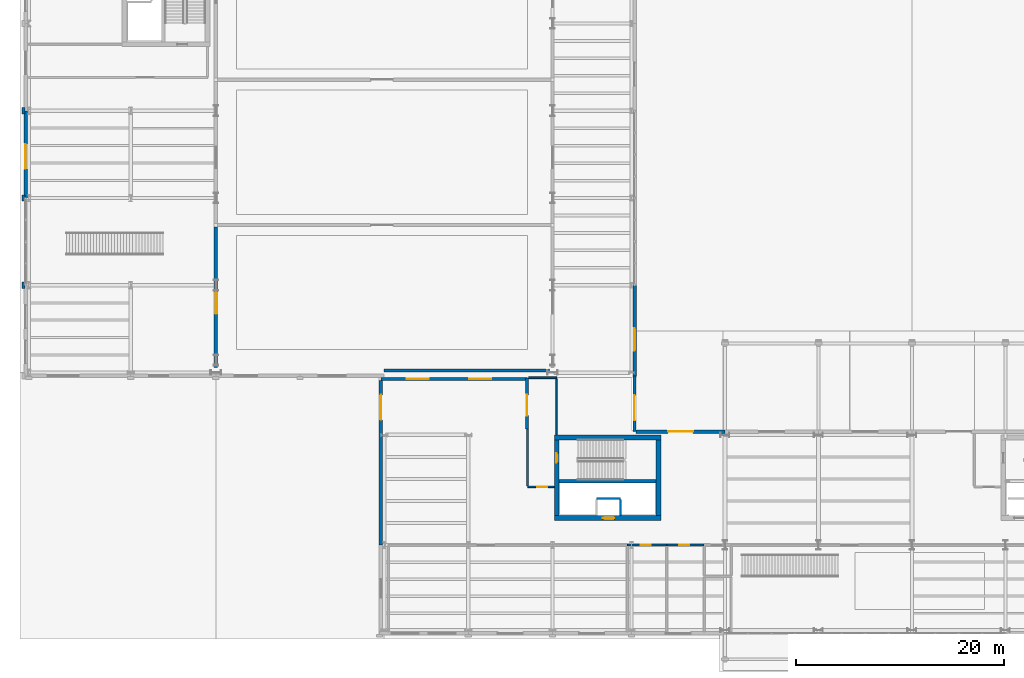
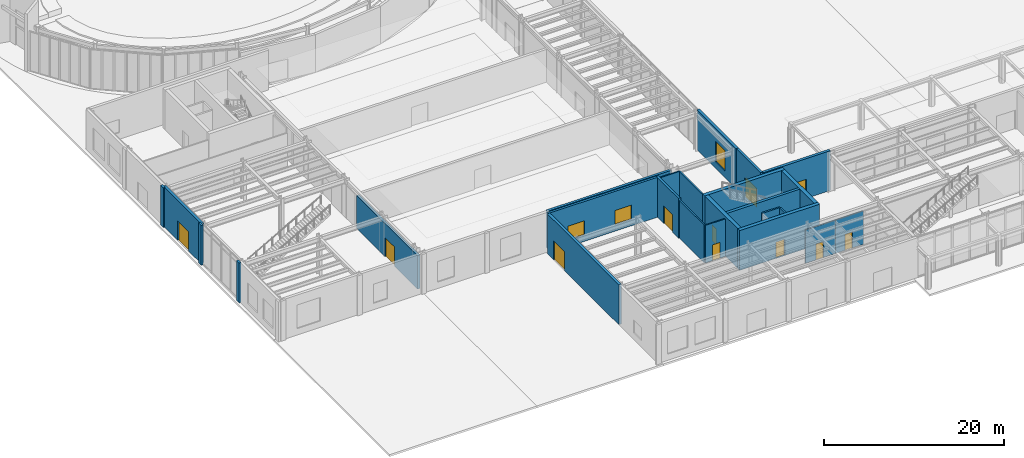
# One storey, part 71 of 94: 25 walls, 11 doors, 3 windows, 14 openings.
"""IFC4 building model written with IfcOpenShell, lengths in metres."""

from ifc_helpers import new_model, si_unit, direction, frame, frame_2d, origin, place, context, subcontext, project, spatial, rectangle, extrude, material, layer, layer_set, type_object, element, fill, save


model = new_model("IFC4")

# Units and contexts
model_context = context("Model", 3, precision=1e-05, world=origin(), true_north=direction((0.0, 1.0)))
body_context = subcontext(model_context, "Body", "Model", "MODEL_VIEW")
ifc_project = project(units=[si_unit("LENGTHUNIT", "METRE"), si_unit("AREAUNIT", "SQUARE_METRE"), si_unit("VOLUMEUNIT", "CUBIC_METRE"), si_unit("PLANEANGLEUNIT", "RADIAN"), si_unit("MASSUNIT", "GRAM", prefix="KILO")], contexts=[model_context])

# Site, building, storey
site_placement = place(None, origin())
site = spatial("IfcSite", under=ifc_project, at=site_placement, CompositionType="ELEMENT")
building_placement = place(site_placement, origin())
building = spatial("IfcBuilding", under=site, at=building_placement, Name="Sollismere Congress Hotel", CompositionType="ELEMENT")
storey_placement = place(building_placement, origin())
storey = spatial("IfcBuildingStorey", under=building, at=storey_placement, Name="L00", CompositionType="ELEMENT", Elevation=0.0)

# Wall, opening, door
ifc_material_1 = material(Name="Colorado Buff Sandstone Rainscreen on Insulated Backup", Category="masonry")
ifc_layer_1 = layer(ifc_material_1, 0.284912109375, Name="Colorado Buff Sandstone Rainscreen on Insulated Backup")
ifc_layer_set_1 = layer_set([ifc_layer_1], Name="Colorado Buff Sandstone Rainscreen on Insulated Backup")
wall_type_1 = type_object("IfcWallType", Name="WL-EXT285", PredefinedType="STANDARD", material=ifc_layer_set_1)
wall_1_placement = place(storey_placement, frame((58.31005859375, 19.110107421875, 0.0), z_axis=(0.0, 0.0, 1.0), x_axis=(0.0, 1.0, 0.0)))
wall_1 = element("IfcWall", 1, at=wall_1_placement, inside=storey, type_object=wall_type_1, Name="Exterior wall EW-L00-112", PredefinedType="STANDARD", context=body_context, shape_type="SweptSolid", body=[
    extrude(rectangle(XDim=5.3798828125, YDim=0.284912109375, at=frame_2d((2.68994140625, 0.0))), origin(), (0.0, 0.0, 1.0), 5.39990234375),
])
opening_1_placement = place(wall_1_placement, frame((1.10009765625, 0.0, 0.0)))
opening_1 = element("IfcOpeningElement", 2, at=opening_1_placement, cuts=wall_1, Name="Opening D-L00-E11", PredefinedType="OPENING", context=body_context, shape_type="SweptSolid", body=[
    extrude(rectangle(XDim=2.39990234375, YDim=2.60009765625, at=frame_2d((1.199951171875, 1.300048828125))), frame((0.0, 0.15234375, 0.0), z_axis=(0.0, -1.0, 0.0), x_axis=(1.0, 0.0, 0.0)), (0.0, 0.0, 1.0), 0.304931640625),
])
ifc_material_2 = material(Name="Thermally Broken Bronze-Anodized Aluminum & Laminated Glass", Category="aluminium")
door_type_1 = type_object("IfcDoorType", Name="DR-EX240", OperationType="DOUBLE_DOOR_SINGLE_SWING", PredefinedType="DOOR", material=ifc_material_2)
door_1_placement = place(opening_1_placement, origin())
door_1 = element("IfcDoor", 3, at=door_1_placement, inside=storey, type_object=door_type_1, Name="DOR-D-L00-E11", OperationType="DOUBLE_DOOR_SINGLE_SWING", OverallHeight=2.60009765625, OverallWidth=2.39990234375, PredefinedType="DOOR", context=body_context, shape_type="SweptSolid", body=[
    extrude(rectangle(XDim=2.39990234375, YDim=2.60009765625, at=frame_2d((1.199951171875, 1.300048828125))), frame((0.0, 0.02490234375, 0.0), z_axis=(0.0, -1.0, 0.0), x_axis=(1.0, 0.0, 0.0)), (0.0, 0.0, 1.0), 0.050048828125),
])
fill(opening_1, door_1)

wall_2_placement = place(storey_placement, frame((47.949951171875, 19.35009765625, 0.0), z_axis=(0.0, 0.0, 1.0), x_axis=(0.0, 1.0, 0.0)))
wall_2 = element("IfcWall", 4, at=wall_2_placement, inside=storey, type_object=wall_type_1, Name="Exterior wall EW-L00-113", PredefinedType="STANDARD", context=body_context, shape_type="SweptSolid", body=[
    extrude(rectangle(XDim=4.949951171875, YDim=0.284912109375, at=frame_2d((2.47509765625, 0.0))), origin(), (0.0, 0.0, 1.0), 5.39990234375),
])
opening_2_placement = place(wall_2_placement, frame((1.300048828125, 0.0, 0.0)))
opening_2 = element("IfcOpeningElement", 5, at=opening_2_placement, cuts=wall_2, Name="Opening D-EX-ST06", PredefinedType="OPENING", context=body_context, shape_type="SweptSolid", body=[
    extrude(rectangle(XDim=2.0, YDim=2.39990234375, at=frame_2d((1.0, 1.199951171875))), frame((0.0, 0.15234375, 0.0), z_axis=(0.0, -1.0, 0.0), x_axis=(1.0, 0.0, 0.0)), (0.0, 0.0, 1.0), 0.304931640625),
])
door_type_2 = type_object("IfcDoorType", Name="DR-EX200", OperationType="DOUBLE_DOOR_SINGLE_SWING", PredefinedType="DOOR", material=ifc_material_2)
door_2_placement = place(opening_2_placement, origin())
door_2 = element("IfcDoor", 6, at=door_2_placement, inside=storey, type_object=door_type_2, Name="DOR-D-EX-ST06", OperationType="DOUBLE_DOOR_SINGLE_SWING", OverallHeight=2.39990234375, OverallWidth=2.0, PredefinedType="DOOR", context=body_context, shape_type="SweptSolid", body=[
    extrude(rectangle(XDim=2.0, YDim=2.39990234375, at=frame_2d((1.0, 1.199951171875))), frame((0.0, 0.02490234375, 0.0), z_axis=(0.0, -1.0, 0.0), x_axis=(1.0, 0.0, 0.0)), (0.0, 0.0, 1.0), 0.050048828125),
])
fill(opening_2, door_2)

# Wall, openings, windows
wall_3_placement = place(storey_placement, frame((33.889892578125, 24.199951171875, 0.0), z_axis=(0.0, 0.0, 1.0), x_axis=(1.0, 0.0, 0.0)))
wall_3 = element("IfcWall", 7, at=wall_3_placement, inside=storey, type_object=wall_type_1, Name="Exterior wall EW-L00-117", PredefinedType="STANDARD", context=body_context, shape_type="SweptSolid", body=[
    extrude(rectangle(XDim=14.06005859375, YDim=0.284912109375, at=frame_2d((7.030029296875, 0.0))), origin(), (0.0, 0.0, 1.0), 5.39990234375),
])
opening_3_placement = place(wall_3_placement, frame((2.5, 0.0, 0.89990234375)))
opening_3 = element("IfcOpeningElement", 8, at=opening_3_placement, cuts=wall_3, Name="Opening W-L00-108", PredefinedType="OPENING", context=body_context, shape_type="SweptSolid", body=[
    extrude(rectangle(XDim=2.10009765625, YDim=1.89990234375, at=frame_2d((1.050048828125, 0.949951171875))), frame((0.0, 0.15234375, 0.0), z_axis=(0.0, -1.0, 0.0), x_axis=(1.0, 0.0, 0.0)), (0.0, 0.0, 1.0), 0.304931640625),
])
opening_4_placement = place(wall_3_placement, frame((8.5, 0.0, 0.89990234375)))
opening_4 = element("IfcOpeningElement", 9, at=opening_4_placement, cuts=wall_3, Name="Opening W-L00-109", PredefinedType="OPENING", context=body_context, shape_type="SweptSolid", body=[
    extrude(rectangle(XDim=2.10009765625, YDim=1.89990234375, at=frame_2d((1.050048828125, 0.949951171875))), frame((0.0, 0.15234375, 0.0), z_axis=(0.0, -1.0, 0.0), x_axis=(1.0, 0.0, 0.0)), (0.0, 0.0, 1.0), 0.304931640625),
])
ifc_material_3 = material(Name="Thermally Broken Bronze Aluminum & Low-E Glass", Category="aluminium")
window_type_1 = type_object("IfcWindowType", Name="WN-P210x190", PartitioningType="SINGLE_PANEL", PredefinedType="WINDOW", material=ifc_material_3)
window_1_placement = place(opening_3_placement, origin())
window_1 = element("IfcWindow", 10, at=window_1_placement, inside=storey, type_object=window_type_1, Name="WIN-W-L00-108", OverallHeight=1.89990234375, OverallWidth=2.10009765625, PartitioningType="SINGLE_PANEL", PredefinedType="WINDOW", context=body_context, shape_type="SweptSolid", body=[
    extrude(rectangle(XDim=2.10009765625, YDim=1.89990234375, at=frame_2d((1.050048828125, 0.949951171875))), frame((0.0, 0.030029296875, 0.0), z_axis=(0.0, -1.0, 0.0), x_axis=(1.0, 0.0, 0.0)), (0.0, 0.0, 1.0), 0.06005859375),
])
fill(opening_3, window_1)
window_2_placement = place(opening_4_placement, origin())
window_2 = element("IfcWindow", 11, at=window_2_placement, inside=storey, type_object=window_type_1, Name="WIN-W-L00-109", OverallHeight=1.89990234375, OverallWidth=2.10009765625, PartitioningType="SINGLE_PANEL", PredefinedType="WINDOW", context=body_context, shape_type="SweptSolid", body=[
    extrude(rectangle(XDim=2.10009765625, YDim=1.89990234375, at=frame_2d((1.050048828125, 0.949951171875))), frame((0.0, 0.030029296875, 0.0), z_axis=(0.0, -1.0, 0.0), x_axis=(1.0, 0.0, 0.0)), (0.0, 0.0, 1.0), 0.06005859375),
])
fill(opening_4, window_2)

# Wall, opening, door
ifc_material_4 = material(Name="Colorado Buff Sandstone and Limestone Backup C40/50", Category="masonry")
ifc_layer_2 = layer(ifc_material_4, 0.340087890625, Name="Colorado Buff Sandstone and Limestone Backup C40/50")
ifc_layer_set_2 = layer_set([ifc_layer_2], Name="Colorado Buff Sandstone and Limestone Backup C40/50")
wall_type_2 = type_object("IfcWallType", Name="WL-EXT340", PredefinedType="STANDARD", material=ifc_layer_set_2)
wall_4_placement = place(storey_placement, frame((-0.31005859375, 41.60009765625, 0.0), z_axis=(0.0, 0.0, 1.0), x_axis=(0.0, 1.0, 0.0)))
wall_4 = element("IfcWall", 12, at=wall_4_placement, inside=storey, type_object=wall_type_2, Name="Exterior wall EW-L00-097", PredefinedType="STANDARD", context=body_context, shape_type="SweptSolid", body=[
    extrude(rectangle(XDim=8.39990234375, YDim=0.340087890625, at=frame_2d((4.199951171875, 0.0))), origin(), (0.0, 0.0, 1.0), 5.39990234375),
])
opening_5_placement = place(wall_4_placement, frame((2.800048828125, 0.0, 0.0)))
opening_5 = element("IfcOpeningElement", 13, at=opening_5_placement, cuts=wall_4, Name="Opening D-L00-E09", PredefinedType="OPENING", context=body_context, shape_type="SweptSolid", body=[
    extrude(rectangle(XDim=2.39990234375, YDim=2.60009765625, at=frame_2d((1.199951171875, 1.300048828125))), frame((0.0, 0.179931640625, 0.0), z_axis=(0.0, -1.0, 0.0), x_axis=(1.0, 0.0, 0.0)), (0.0, 0.0, 1.0), 0.360107421875),
])
door_3_placement = place(opening_5_placement, origin())
door_3 = element("IfcDoor", 14, at=door_3_placement, inside=storey, type_object=door_type_1, Name="DOR-D-L00-E09", OperationType="DOUBLE_DOOR_SINGLE_SWING", OverallHeight=2.60009765625, OverallWidth=2.39990234375, PredefinedType="DOOR", context=body_context, shape_type="SweptSolid", body=[
    extrude(rectangle(XDim=2.39990234375, YDim=2.60009765625, at=frame_2d((1.199951171875, 1.300048828125))), frame((0.0, 0.02490234375, 0.0), z_axis=(0.0, -1.0, 0.0), x_axis=(1.0, 0.0, 0.0)), (0.0, 0.0, 1.0), 0.050048828125),
])
fill(opening_5, door_3)

# Wall, opening, window
wall_5_placement = place(storey_placement, frame((58.31005859375, 24.489990234375, 0.0), z_axis=(0.0, 0.0, 1.0), x_axis=(0.0, 1.0, 0.0)))
wall_5 = element("IfcWall", 15, at=wall_5_placement, inside=storey, type_object=wall_type_2, Name="Exterior wall EW-L00-114", PredefinedType="STANDARD", context=body_context, shape_type="SweptSolid", body=[
    extrude(rectangle(XDim=8.7099609375, YDim=0.340087890625, at=frame_2d((4.35498046875, 0.0))), origin(), (0.0, 0.0, 1.0), 5.39990234375),
])
opening_6_placement = place(wall_5_placement, frame((2.39990234375, 0.0, 0.85009765625)))
opening_6 = element("IfcOpeningElement", 16, at=opening_6_placement, cuts=wall_5, Name="Opening W-L00-105", PredefinedType="OPENING", context=body_context, shape_type="SweptSolid", body=[
    extrude(rectangle(XDim=2.199951171875, YDim=2.800048828125, at=frame_2d((1.10009765625, 1.39990234375))), frame((0.0, 0.179931640625, 0.0), z_axis=(0.0, -1.0, 0.0), x_axis=(1.0, 0.0, 0.0)), (0.0, 0.0, 1.0), 0.360107421875),
])
window_type_2 = type_object("IfcWindowType", Name="WN-A220x280", PartitioningType="SINGLE_PANEL", PredefinedType="WINDOW", material=ifc_material_3)
window_3_placement = place(opening_6_placement, origin())
window_3 = element("IfcWindow", 17, at=window_3_placement, inside=storey, type_object=window_type_2, Name="WIN-W-L00-105", OverallHeight=2.800048828125, OverallWidth=2.199951171875, PartitioningType="SINGLE_PANEL", PredefinedType="WINDOW", context=body_context, shape_type="SweptSolid", body=[
    extrude(rectangle(XDim=2.199951171875, YDim=2.800048828125, at=frame_2d((1.10009765625, 1.39990234375))), frame((0.0, 0.030029296875, 0.0), z_axis=(0.0, -1.0, 0.0), x_axis=(1.0, 0.0, 0.0)), (0.0, 0.0, 1.0), 0.06005859375),
])
fill(opening_6, window_3)

# Wall, opening, door
wall_6_placement = place(storey_placement, frame((67.0, 19.110107421875, 0.0), z_axis=(0.0, 0.0, 1.0), x_axis=(-1.0, 0.0, 0.0)))
wall_6 = element("IfcWall", 18, at=wall_6_placement, inside=storey, type_object=wall_type_2, Name="Exterior wall EW-L00-264", PredefinedType="STANDARD", context=body_context, shape_type="SweptSolid", body=[
    extrude(rectangle(XDim=8.54541015625, YDim=0.340087890625, at=frame_2d((4.272705078125, 0.0))), origin(), (0.0, 0.0, 1.0), 5.39990234375),
])
opening_7_placement = place(wall_6_placement, frame((3.07275390625, 0.0, 0.0)))
opening_7 = element("IfcOpeningElement", 19, at=opening_7_placement, cuts=wall_6, Name="Opening D-L00-E25", PredefinedType="OPENING", context=body_context, shape_type="SweptSolid", body=[
    extrude(rectangle(XDim=2.39990234375, YDim=2.60009765625, at=frame_2d((1.199951171875, 1.300048828125))), frame((0.0, 0.179931640625, 0.0), z_axis=(0.0, -1.0, 0.0), x_axis=(1.0, 0.0, 0.0)), (0.0, 0.0, 1.0), 0.360107421875),
])
door_4_placement = place(opening_7_placement, origin())
door_4 = element("IfcDoor", 20, at=door_4_placement, inside=storey, type_object=door_type_1, Name="DOR-D-L00-E25", OperationType="DOUBLE_DOOR_SINGLE_SWING", OverallHeight=2.60009765625, OverallWidth=2.39990234375, PredefinedType="DOOR", context=body_context, shape_type="SweptSolid", body=[
    extrude(rectangle(XDim=2.39990234375, YDim=2.60009765625, at=frame_2d((1.199951171875, 1.300048828125))), frame((0.0, 0.02490234375, 0.0), z_axis=(0.0, -1.0, 0.0), x_axis=(1.0, 0.0, 0.0)), (0.0, 0.0, 1.0), 0.050048828125),
])
fill(opening_7, door_4)

wall_7_placement = place(storey_placement, frame((33.889892578125, 24.055419921875, 0.0), z_axis=(0.0, 0.0, 1.0), x_axis=(0.0, -1.0, 0.0)))
wall_7 = element("IfcWall", 21, at=wall_7_placement, inside=storey, type_object=wall_type_2, Name="Exterior wall EW-L00-271", PredefinedType="STANDARD", context=body_context, shape_type="SweptSolid", body=[
    extrude(rectangle(XDim=15.85546875, YDim=0.340087890625, at=frame_2d((7.927734375, 0.0))), origin(), (0.0, 0.0, 1.0), 5.39990234375),
])
opening_8_placement = place(wall_7_placement, frame((1.39990234375, 0.0, 0.0)))
opening_8 = element("IfcOpeningElement", 22, at=opening_8_placement, cuts=wall_7, Name="Opening D-L00-E30", PredefinedType="OPENING", context=body_context, shape_type="SweptSolid", body=[
    extrude(rectangle(XDim=2.39990234375, YDim=2.60009765625, at=frame_2d((1.199951171875, 1.300048828125))), frame((0.0, 0.179931640625, 0.0), z_axis=(0.0, -1.0, 0.0), x_axis=(1.0, 0.0, 0.0)), (0.0, 0.0, 1.0), 0.360107421875),
])
door_5_placement = place(opening_8_placement, frame((2.39990234375, 0.0, 0.0), z_axis=(0.0, 0.0, 1.0), x_axis=(-1.0, 0.0, 0.0)))
door_5 = element("IfcDoor", 23, at=door_5_placement, inside=storey, type_object=door_type_1, Name="DOR-D-L00-E30", OperationType="DOUBLE_DOOR_SINGLE_SWING", OverallHeight=2.60009765625, OverallWidth=2.39990234375, PredefinedType="DOOR", context=body_context, shape_type="SweptSolid", body=[
    extrude(rectangle(XDim=2.39990234375, YDim=2.60009765625, at=frame_2d((1.199951171875, 1.300048828125))), frame((0.0, 0.02490234375, 0.0), z_axis=(0.0, -1.0, 0.0), x_axis=(1.0, 0.0, 0.0)), (0.0, 0.0, 1.0), 0.050048828125),
])
fill(opening_8, door_5)

# Walls
ifc_material_5 = material(Name="Carved Travertine Pilaster & Frieze Assembly", Category="masonry")
ifc_layer_3 = layer(ifc_material_5, 0.260009765625, Name="Carved Travertine Pilaster & Frieze Assembly")
ifc_layer_set_3 = layer_set([ifc_layer_3], Name="Carved Travertine Pilaster & Frieze Assembly")
wall_type_3 = type_object("IfcWallType", Name="WL-PIL280", PredefinedType="ELEMENTEDWALL", material=ifc_layer_set_3)
wall_8_placement = place(storey_placement, frame((-0.52001953125, 32.89990234375, 0.0), z_axis=(0.0, 0.0, 1.0), x_axis=(0.0, 1.0, 0.0)))
element("IfcWall", 24, at=wall_8_placement, inside=storey, type_object=wall_type_3, Name="Exterior wall EW-L00-096", PredefinedType="ELEMENTEDWALL", context=body_context, shape_type="SweptSolid", body=[
    extrude(rectangle(XDim=0.60009765625, YDim=0.260009765625, at=frame_2d((0.300048828125, 0.0))), origin(), (0.0, 0.0, 1.0), 5.39990234375),
])
wall_9_placement = place(storey_placement, frame((-0.52001953125, 41.300048828125, 0.0), z_axis=(0.0, 0.0, 1.0), x_axis=(0.0, 1.0, 0.0)))
element("IfcWall", 25, at=wall_9_placement, inside=storey, type_object=wall_type_3, Name="Exterior wall EW-L00-098", PredefinedType="ELEMENTEDWALL", context=body_context, shape_type="SweptSolid", body=[
    extrude(rectangle(XDim=0.599853515625, YDim=0.260009765625, at=frame_2d((0.2998046875, 0.0))), origin(), (0.0, 0.0, 1.0), 5.39990234375),
])
wall_10_placement = place(storey_placement, frame((-0.52001953125, 49.699951171875, 0.0), z_axis=(0.0, 0.0, 1.0), x_axis=(0.0, 1.0, 0.0)))
element("IfcWall", 26, at=wall_10_placement, inside=storey, type_object=wall_type_3, Name="Exterior wall EW-L00-100", PredefinedType="ELEMENTEDWALL", context=body_context, shape_type="SweptSolid", body=[
    extrude(rectangle(XDim=0.60009765625, YDim=0.260009765625, at=frame_2d((0.300048828125, 0.0))), origin(), (0.0, 0.0, 1.0), 5.39990234375),
])
ifc_material_6 = material(Name="Moisture-Resistant Shaft Gypsum Assembly")
ifc_layer_4 = layer(ifc_material_6, 0.199951171875, Name="Moisture-Resistant Shaft Gypsum Assembly")
ifc_layer_set_4 = layer_set([ifc_layer_4], Name="Moisture-Resistant Shaft Gypsum Assembly")
wall_type_4 = type_object("IfcWallType", Name="WL-PLM200", PredefinedType="PLUMBINGWALL", material=ifc_layer_set_4)
wall_11_placement = place(storey_placement, frame((54.655029296875, 12.68994140625, 0.0), z_axis=(0.0, 0.0, 1.0), x_axis=(1.0, 0.0, 0.0)))
element("IfcWall", 27, at=wall_11_placement, inside=storey, type_object=wall_type_4, Name="Interior wall IW-L00-0684", PredefinedType="PLUMBINGWALL", context=body_context, shape_type="SweptSolid", body=[
    extrude(rectangle(XDim=2.2900390625, YDim=0.199951171875, at=frame_2d((1.14501953125, 0.0))), origin(), (0.0, 0.0, 1.0), 5.090087890625),
])
wall_12_placement = place(storey_placement, frame((56.945068359375, 11.037109375, 0.0), z_axis=(0.0, 0.0, 1.0), x_axis=(0.0, 1.0, 0.0)))
element("IfcWall", 28, at=wall_12_placement, inside=storey, type_object=wall_type_4, Name="Interior wall IW-L00-0686", PredefinedType="PLUMBINGWALL", context=body_context, shape_type="SweptSolid", body=[
    extrude(rectangle(XDim=1.540771484375, YDim=0.199951171875, at=frame_2d((0.7705078125, 0.0))), origin(), (0.0, 0.0, 1.0), 5.090087890625),
])

# Wall, opening, door
ifc_material_7 = material(Name="Fire-Rated Acoustic Gypsum Partition")
ifc_layer_5 = layer(ifc_material_7, 0.1650390625, Name="Fire-Rated Acoustic Gypsum Partition")
ifc_layer_set_5 = layer_set([ifc_layer_5], Name="Fire-Rated Acoustic Gypsum Partition")
wall_type_5 = type_object("IfcWallType", Name="WL-PRT165R", PredefinedType="PARTITIONING", material=ifc_layer_set_5)
wall_13_placement = place(storey_placement, frame((57.60009765625, 8.199951171875, 0.0), z_axis=(0.0, 0.0, 1.0), x_axis=(1.0, 0.0, 0.0)))
wall_13 = element("IfcWall", 29, at=wall_13_placement, inside=storey, type_object=wall_type_5, Name="Interior wall IW-L00-0774", PredefinedType="PARTITIONING", context=body_context, shape_type="SweptSolid", body=[
    extrude(rectangle(XDim=3.7998046875, YDim=0.1650390625, at=frame_2d((1.89990234375, 0.0))), origin(), (0.0, 0.0, 1.0), 4.5029296875),
])
opening_9_placement = place(wall_13_placement, frame((1.320068359375, 0.0, 0.0)))
opening_9 = element("IfcOpeningElement", 30, at=opening_9_placement, cuts=wall_13, Name="Opening D-L00-0257", PredefinedType="OPENING", context=body_context, shape_type="SweptSolid", body=[
    extrude(rectangle(XDim=0.9599609375, YDim=2.14990234375, at=frame_2d((0.47998046875, 1.074951171875))), frame((0.0, 0.092529296875, 0.0), z_axis=(0.0, -1.0, 0.0), x_axis=(1.0, 0.0, 0.0)), (0.0, 0.0, 1.0), 0.18505859375),
])
ifc_material_8 = material(Name="Fire-Rated Accessible Restroom Door")
door_type_3 = type_object("IfcDoorType", Name="DR-AWC01", OperationType="NOTDEFINED", PredefinedType="DOOR", material=ifc_material_8)
door_6_placement = place(opening_9_placement, origin())
door_6 = element("IfcDoor", 31, at=door_6_placement, inside=storey, type_object=door_type_3, Name="Interior door D-L00-0257", OperationType="SINGLE_SWING_RIGHT", OverallHeight=2.14990234375, OverallWidth=0.9599609375, PredefinedType="DOOR", context=body_context, shape_type="SweptSolid", body=[
    extrude(rectangle(XDim=0.9599609375, YDim=2.14990234375, at=frame_2d((0.47998046875, 1.074951171875))), frame((0.0, 0.02490234375, 0.0), z_axis=(0.0, -1.0, 0.0), x_axis=(1.0, 0.0, 0.0)), (0.0, 0.0, 1.0), 0.050048828125),
])
fill(opening_9, door_6)

wall_14_placement = place(storey_placement, frame((61.39990234375, 8.199951171875, 0.0), z_axis=(0.0, 0.0, 1.0), x_axis=(1.0, 0.0, 0.0)))
wall_14 = element("IfcWall", 32, at=wall_14_placement, inside=storey, type_object=wall_type_5, Name="Interior wall IW-L00-0775", PredefinedType="PARTITIONING", context=body_context, shape_type="SweptSolid", body=[
    extrude(rectangle(XDim=3.60009765625, YDim=0.1650390625, at=frame_2d((1.800048828125, 0.0))), origin(), (0.0, 0.0, 1.0), 4.5029296875),
])
opening_10_placement = place(wall_14_placement, frame((1.219970703125, 0.0, 0.0)))
opening_10 = element("IfcOpeningElement", 33, at=opening_10_placement, cuts=wall_14, Name="Opening D-L00-0258", PredefinedType="OPENING", context=body_context, shape_type="SweptSolid", body=[
    extrude(rectangle(XDim=0.9599609375, YDim=2.14990234375, at=frame_2d((0.47998046875, 1.074951171875))), frame((0.0, 0.092529296875, 0.0), z_axis=(0.0, -1.0, 0.0), x_axis=(1.0, 0.0, 0.0)), (0.0, 0.0, 1.0), 0.18505859375),
])
door_7_placement = place(opening_10_placement, origin())
door_7 = element("IfcDoor", 34, at=door_7_placement, inside=storey, type_object=door_type_3, Name="Interior door D-L00-0258", OperationType="SINGLE_SWING_LEFT", OverallHeight=2.14990234375, OverallWidth=0.9599609375, PredefinedType="DOOR", context=body_context, shape_type="SweptSolid", body=[
    extrude(rectangle(XDim=0.9599609375, YDim=2.14990234375, at=frame_2d((0.47998046875, 1.074951171875))), frame((0.0, 0.02490234375, 0.0), z_axis=(0.0, -1.0, 0.0), x_axis=(1.0, 0.0, 0.0)), (0.0, 0.0, 1.0), 0.050048828125),
])
fill(opening_10, door_7)

wall_15_placement = place(storey_placement, frame((48.0, 13.800048828125, 0.0), z_axis=(0.0, 0.0, 1.0), x_axis=(1.0, 0.0, 0.0)))
wall_15 = element("IfcWall", 35, at=wall_15_placement, inside=storey, type_object=wall_type_5, Name="Interior wall IW-L00-0780", PredefinedType="PARTITIONING", context=body_context, shape_type="SweptSolid", body=[
    extrude(rectangle(XDim=2.550048828125, YDim=0.1650390625, at=frame_2d((1.27490234375, 0.0))), origin(), (0.0, 0.0, 1.0), 5.090087890625),
])
opening_11_placement = place(wall_15_placement, frame((0.925048828125, 0.0, 0.0)))
opening_11 = element("IfcOpeningElement", 36, at=opening_11_placement, cuts=wall_15, Name="Opening D-L00-0265", PredefinedType="OPENING", context=body_context, shape_type="SweptSolid", body=[
    extrude(rectangle(XDim=0.949951171875, YDim=2.14990234375, at=frame_2d((0.47509765625, 1.074951171875))), frame((0.0, 0.092529296875, 0.0), z_axis=(0.0, -1.0, 0.0), x_axis=(1.0, 0.0, 0.0)), (0.0, 0.0, 1.0), 0.18505859375),
])
ifc_material_9 = material(Name="Solid-Core Acoustic Walnut Guestroom Entry Door")
door_type_4 = type_object("IfcDoorType", Name="DR-KY02", OperationType="NOTDEFINED", PredefinedType="DOOR", material=ifc_material_9)
door_8_placement = place(opening_11_placement, origin())
door_8 = element("IfcDoor", 37, at=door_8_placement, inside=storey, type_object=door_type_4, Name="Interior door D-L00-0265", OperationType="SINGLE_SWING_LEFT", OverallHeight=2.14990234375, OverallWidth=0.949951171875, PredefinedType="DOOR", context=body_context, shape_type="SweptSolid", body=[
    extrude(rectangle(XDim=0.949951171875, YDim=2.14990234375, at=frame_2d((0.47509765625, 1.074951171875))), frame((0.0, 0.02490234375, 0.0), z_axis=(0.0, -1.0, 0.0), x_axis=(1.0, 0.0, 0.0)), (0.0, 0.0, 1.0), 0.050048828125),
])
fill(opening_11, door_8)

# Walls
wall_16_placement = place(storey_placement, frame((48.107421875, 24.300048828125, 0.0), z_axis=(0.0, 0.0, 1.0), x_axis=(1.0, 0.0, 0.0)))
element("IfcWall", 38, at=wall_16_placement, inside=storey, type_object=wall_type_5, Name="Interior wall IW-L00-0787", PredefinedType="PARTITIONING", context=body_context, shape_type="SweptSolid", body=[
    extrude(rectangle(XDim=2.692626953125, YDim=0.1650390625, at=frame_2d((1.34619140625, 0.0))), origin(), (0.0, 0.0, 1.0), 5.090087890625),
])
wall_17_placement = place(storey_placement, frame((48.0, 13.89453125, 0.0), z_axis=(0.0, 0.0, 1.0), x_axis=(0.0, 1.0, 0.0)))
element("IfcWall", 39, at=wall_17_placement, inside=storey, type_object=wall_type_5, Name="Interior wall IW-L00-0815", PredefinedType="PARTITIONING", context=body_context, shape_type="SweptSolid", body=[
    extrude(rectangle(XDim=5.45556640625, YDim=0.1650390625, at=frame_2d((2.727783203125, 0.0))), origin(), (0.0, 0.0, 1.0), 5.090087890625),
])
wall_18_placement = place(storey_placement, frame((50.800048828125, 18.800048828125, 0.0), z_axis=(0.0, 0.0, 1.0), x_axis=(0.0, 1.0, 0.0)))
element("IfcWall", 40, at=wall_18_placement, inside=storey, type_object=wall_type_5, Name="Interior wall IW-L00-0819", PredefinedType="PARTITIONING", context=body_context, shape_type="SweptSolid", body=[
    extrude(rectangle(XDim=5.405517578125, YDim=0.1650390625, at=frame_2d((2.70263671875, 0.0))), origin(), (0.0, 0.0, 1.0), 5.090087890625),
])
ifc_material_10 = material(Name="Concrete C50/60", Category="concrete")
ifc_layer_6 = layer(ifc_material_10, 0.35009765625, Name="Concrete C50/60")
ifc_layer_set_6 = layer_set([ifc_layer_6], Name="Concrete C50/60")
wall_type_6 = type_object("IfcWallType", Name="WL-SHR350", PredefinedType="SHEAR", material=ifc_layer_set_6)
wall_19_placement = place(storey_placement, frame((51.02490234375, 14.35009765625, 0.0), z_axis=(0.0, 0.0, 1.0), x_axis=(1.0, 0.0, 0.0)))
element("IfcWall", 41, at=wall_19_placement, inside=storey, type_object=wall_type_6, Name="Interior wall IW-L00-0683", PredefinedType="SHEAR", context=body_context, shape_type="SweptSolid", body=[
    extrude(rectangle(XDim=9.35009765625, YDim=0.35009765625, at=frame_2d((4.675048828125, 0.0))), origin(), (0.0, 0.0, 1.0), 5.39990234375),
])

# Wall, opening, door
ifc_layer_7 = layer(ifc_material_10, 0.449951171875, Name="Concrete C50/60")
ifc_layer_set_7 = layer_set([ifc_layer_7], Name="Concrete C50/60")
wall_type_7 = type_object("IfcWallType", Name="WL-SHR450", PredefinedType="SHEAR", material=ifc_layer_set_7)
wall_20_placement = place(storey_placement, frame((50.574951171875, 10.800048828125, 0.0), z_axis=(0.0, 0.0, 1.0), x_axis=(1.0, 0.0, 0.0)))
wall_20 = element("IfcWall", 42, at=wall_20_placement, inside=storey, type_object=wall_type_7, Name="Interior wall IW-L00-0679", PredefinedType="SHEAR", context=body_context, shape_type="SweptSolid", body=[
    extrude(rectangle(XDim=10.25, YDim=0.449951171875, at=frame_2d((5.125, 0.0))), origin(), (0.0, 0.0, 1.0), 5.39990234375),
])
opening_12_placement = place(wall_20_placement, frame((4.675048828125, 0.0, 0.0)))
opening_12 = element("IfcOpeningElement", 43, at=opening_12_placement, cuts=wall_20, Name="Opening LD-LP-09-L00", PredefinedType="OPENING", context=body_context, shape_type="SweptSolid", body=[
    extrude(rectangle(XDim=1.10009765625, YDim=2.199951171875, at=frame_2d((0.550048828125, 1.10009765625))), frame((0.0, 0.23486328125, 0.0), z_axis=(0.0, -1.0, 0.0), x_axis=(1.0, 0.0, 0.0)), (0.0, 0.0, 1.0), 0.469970703125),
])
ifc_material_11 = material(Name="Brushed Bronze Sliding Elevator Landing Door")
door_type_5 = type_object("IfcDoorType", Name="DR-LD110", OperationType="NOTDEFINED", PredefinedType="DOOR", material=ifc_material_11)
door_9_placement = place(opening_12_placement, origin())
door_9 = element("IfcDoor", 44, at=door_9_placement, inside=storey, type_object=door_type_5, Name="Elevator landing door LD-LP-09-L00", OperationType="SLIDING_TO_LEFT", OverallHeight=2.199951171875, OverallWidth=1.10009765625, PredefinedType="DOOR", context=body_context, shape_type="SweptSolid", body=[
    extrude(rectangle(XDim=1.10009765625, YDim=2.199951171875, at=frame_2d((0.550048828125, 1.10009765625))), frame((0.0, 0.02490234375, 0.0), z_axis=(0.0, -1.0, 0.0), x_axis=(1.0, 0.0, 0.0)), (0.0, 0.0, 1.0), 0.050048828125),
])
fill(opening_12, door_9)

# Wall
wall_21_placement = place(storey_placement, frame((60.824951171875, 18.550048828125, 0.0), z_axis=(0.0, 0.0, 1.0), x_axis=(-1.0, 0.0, 0.0)))
element("IfcWall", 45, at=wall_21_placement, inside=storey, type_object=wall_type_7, Name="Interior wall IW-L00-0680", PredefinedType="SHEAR", context=body_context, shape_type="SweptSolid", body=[
    extrude(rectangle(XDim=10.25, YDim=0.449951171875, at=frame_2d((5.125, 0.0))), origin(), (0.0, 0.0, 1.0), 5.39990234375),
])

# Wall, opening, door
wall_22_placement = place(storey_placement, frame((50.800048828125, 18.324951171875, 0.0), z_axis=(0.0, 0.0, 1.0), x_axis=(0.0, -1.0, 0.0)))
wall_22 = element("IfcWall", 46, at=wall_22_placement, inside=storey, type_object=wall_type_7, Name="Interior wall IW-L00-0681", PredefinedType="SHEAR", context=body_context, shape_type="SweptSolid", body=[
    extrude(rectangle(XDim=7.300048828125, YDim=0.449951171875, at=frame_2d((3.64990234375, 0.0))), origin(), (0.0, 0.0, 1.0), 5.39990234375),
])
opening_13_placement = place(wall_22_placement, frame((1.27490234375, 0.0, 0.0)))
opening_13 = element("IfcOpeningElement", 47, at=opening_13_placement, cuts=wall_22, Name="Opening D-ST-06-L00", PredefinedType="OPENING", context=body_context, shape_type="SweptSolid", body=[
    extrude(rectangle(XDim=0.949951171875, YDim=2.199951171875, at=frame_2d((0.47509765625, 1.10009765625))), frame((0.0, 0.23486328125, 0.0), z_axis=(0.0, -1.0, 0.0), x_axis=(1.0, 0.0, 0.0)), (0.0, 0.0, 1.0), 0.469970703125),
])
ifc_material_12 = material(Name="Fire-Rated Insulated Steel Door", Category="steel")
door_type_6 = type_object("IfcDoorType", Name="DR-FD90", OperationType="NOTDEFINED", PredefinedType="DOOR", material=ifc_material_12)
door_10_placement = place(opening_13_placement, frame((0.949951171875, 0.0, 0.0), z_axis=(0.0, 0.0, 1.0), x_axis=(-1.0, 0.0, 0.0)))
door_10 = element("IfcDoor", 48, at=door_10_placement, inside=storey, type_object=door_type_6, Name="Exit stair fire door D-ST-06-L00", OperationType="SINGLE_SWING_LEFT", OverallHeight=2.199951171875, OverallWidth=0.949951171875, PredefinedType="DOOR", context=body_context, shape_type="SweptSolid", body=[
    extrude(rectangle(XDim=0.949951171875, YDim=2.199951171875, at=frame_2d((0.47509765625, 1.10009765625))), frame((0.0, 0.02490234375, 0.0), z_axis=(0.0, -1.0, 0.0), x_axis=(1.0, 0.0, 0.0)), (0.0, 0.0, 1.0), 0.050048828125),
])
fill(opening_13, door_10)

# Walls
wall_23_placement = place(storey_placement, frame((60.60009765625, 11.02490234375, 0.0), z_axis=(0.0, 0.0, 1.0), x_axis=(0.0, 1.0, 0.0)))
element("IfcWall", 49, at=wall_23_placement, inside=storey, type_object=wall_type_7, Name="Interior wall IW-L00-0682", PredefinedType="SHEAR", context=body_context, shape_type="SweptSolid", body=[
    extrude(rectangle(XDim=7.300048828125, YDim=0.449951171875, at=frame_2d((3.64990234375, 0.0))), origin(), (0.0, 0.0, 1.0), 5.39990234375),
])
ifc_material_13 = material(Name="Acoustic Double-Wythe Concrete Block & Gypsum C40/50", Category="concrete")
ifc_layer_8 = layer(ifc_material_13, 0.320068359375, Name="Acoustic Double-Wythe Concrete Block & Gypsum C40/50")
ifc_layer_set_8 = layer_set([ifc_layer_8], Name="Acoustic Double-Wythe Concrete Block & Gypsum C40/50")
wall_type_8 = type_object("IfcWallType", Name="WL-SLD320I", PredefinedType="PARTITIONING", material=ifc_layer_set_8)
wall_24_placement = place(storey_placement, frame((34.199951171875, 25.0, 0.0), z_axis=(0.0, 0.0, 1.0), x_axis=(1.0, 0.0, 0.0)))
element("IfcWall", 50, at=wall_24_placement, inside=storey, type_object=wall_type_8, Name="Interior wall IW-L00-0788", PredefinedType="PARTITIONING", context=body_context, shape_type="SweptSolid", body=[
    extrude(rectangle(XDim=15.900146484375, YDim=0.320068359375, at=frame_2d((7.9501953125, 0.0))), origin(), (0.0, 0.0, 1.0), 5.090087890625),
])

# Wall, opening, door
wall_25_placement = place(storey_placement, frame((18.0, 25.300048828125, 0.0), z_axis=(0.0, 0.0, 1.0), x_axis=(0.0, 1.0, 0.0)))
wall_25 = element("IfcWall", 51, at=wall_25_placement, inside=storey, type_object=wall_type_8, Name="Interior wall IW-L00-0811", PredefinedType="PARTITIONING", context=body_context, shape_type="SweptSolid", body=[
    extrude(rectangle(XDim=13.52783203125, YDim=0.320068359375, at=frame_2d((6.763916015625, 0.0))), origin(), (0.0, 0.0, 1.0), 4.5029296875),
])
opening_14_placement = place(wall_25_placement, frame((5.14990234375, 0.0, 0.0)))
opening_14 = element("IfcOpeningElement", 52, at=opening_14_placement, cuts=wall_25, Name="Opening D-L00-0281", PredefinedType="OPENING", context=body_context, shape_type="SweptSolid", body=[
    extrude(rectangle(XDim=2.10009765625, YDim=2.60009765625, at=frame_2d((1.050048828125, 1.300048828125))), frame((0.0, 0.169921875, 0.0), z_axis=(0.0, -1.0, 0.0), x_axis=(1.0, 0.0, 0.0)), (0.0, 0.0, 1.0), 0.340087890625),
])
ifc_material_14 = material(Name="Acoustic Walnut Double Ballroom Door")
door_type_7 = type_object("IfcDoorType", Name="DR-BL210", OperationType="NOTDEFINED", PredefinedType="DOOR", material=ifc_material_14)
door_11_placement = place(opening_14_placement, origin())
door_11 = element("IfcDoor", 53, at=door_11_placement, inside=storey, type_object=door_type_7, Name="Interior door D-L00-0281", OperationType="DOUBLE_DOOR_SINGLE_SWING", OverallHeight=2.60009765625, OverallWidth=2.10009765625, PredefinedType="DOOR", context=body_context, shape_type="SweptSolid", body=[
    extrude(rectangle(XDim=2.10009765625, YDim=2.60009765625, at=frame_2d((1.050048828125, 1.300048828125))), frame((0.0, 0.02490234375, 0.0), z_axis=(0.0, -1.0, 0.0), x_axis=(1.0, 0.0, 0.0)), (0.0, 0.0, 1.0), 0.050048828125),
])
fill(opening_14, door_11)

save(model, "model.ifc")
